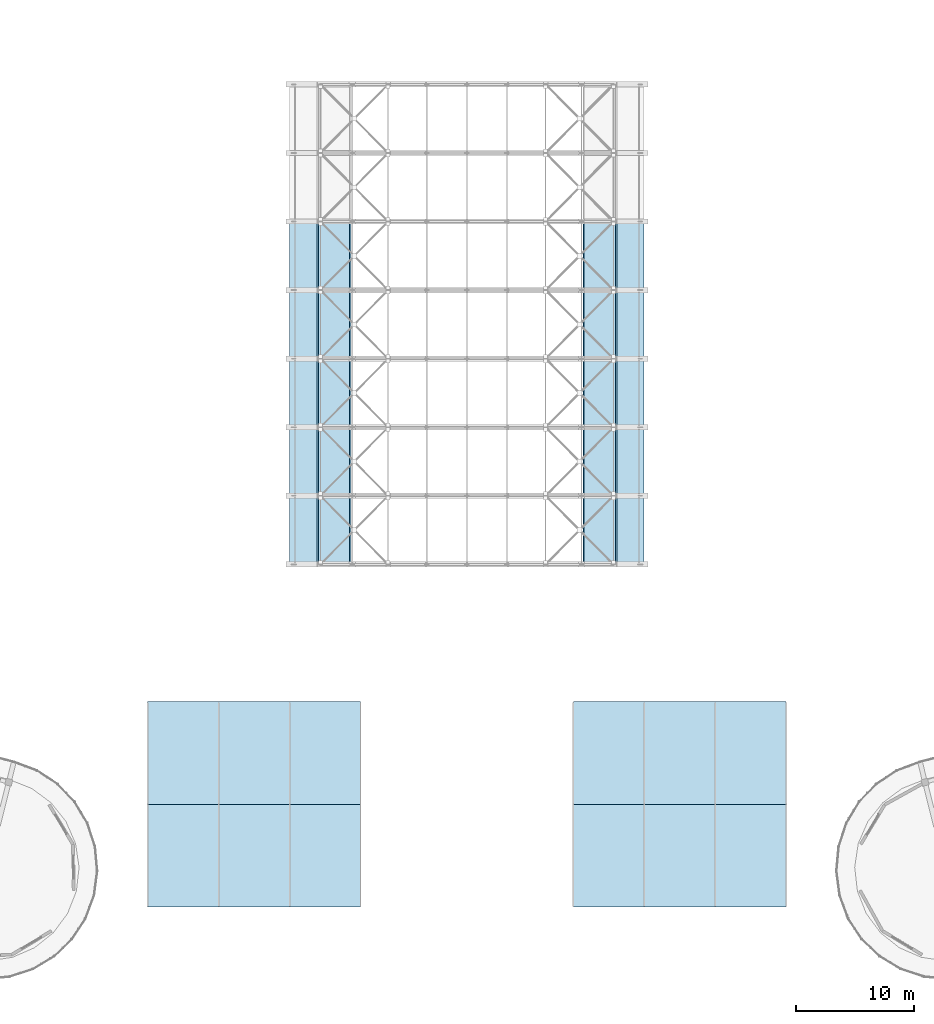
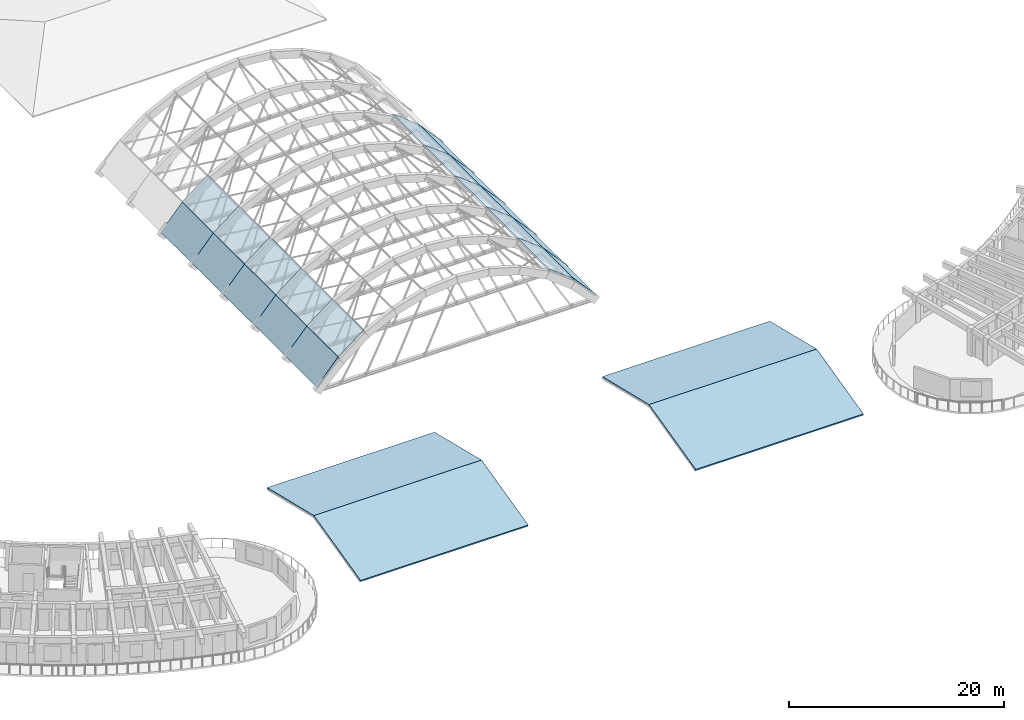
# One storey, part 25 of 81: 24 slabs.
"""IFC4 building model written with IfcOpenShell, lengths in metres."""

from ifc_helpers import new_model, si_unit, direction, frame, origin, place, context, subcontext, project, spatial, polyline, outline, extrude, material, layer, layer_set, type_object, element, save


model = new_model("IFC4")

# Units and contexts
model_context = context("Model", 3, precision=1e-05, world=origin(), true_north=direction((0.0, 1.0)))
body_context = subcontext(model_context, "Body", "Model", "MODEL_VIEW")
ifc_project = project(units=[si_unit("LENGTHUNIT", "METRE"), si_unit("AREAUNIT", "SQUARE_METRE"), si_unit("VOLUMEUNIT", "CUBIC_METRE"), si_unit("PLANEANGLEUNIT", "RADIAN"), si_unit("MASSUNIT", "GRAM", prefix="KILO")], contexts=[model_context])

# Site, building, storey
site_placement = place(None, origin())
site = spatial("IfcSite", under=ifc_project, at=site_placement, CompositionType="ELEMENT")
building_placement = place(site_placement, origin())
building = spatial("IfcBuilding", under=site, at=building_placement, Name="Tanwirah Colonnade Gardens", CompositionType="ELEMENT")
storey_placement = place(building_placement, frame((0.0, 0.0, 8.840087890625)))
storey = spatial("IfcBuildingStorey", under=building, at=storey_placement, Name="L02", CompositionType="ELEMENT", Elevation=8.840087890625)

# Slabs
ifc_material_1 = material(Name="Precast concrete C40/50", Category="concrete")
ifc_layer_1 = layer(ifc_material_1, 0.18505859375)
ifc_layer_set_1 = layer_set([ifc_layer_1], Name="Precast concrete C40/50")
slab_type_1 = type_object("IfcSlabType", Name="RF-SHP-185", PredefinedType="ROOF", material=ifc_layer_set_1)
for number, where, z_axis, x_axis, name in (
    (1, (66.0, 10.800048828125, 0.0), (0.0, -0.23462631124, 0.972085641327), (1.0, 0.0, 0.0), "Boulevard Shops W Pitched Roof SOUTH"),
    (2, (66.0, 19.5, 2.099853515625), (0.0, 0.23462631124, 0.972085641327), (1.0, 0.0, 0.0), "Boulevard Shops W Pitched Roof NORTH"),
    (3, (102.0, 10.800048828125, 0.0), (0.0, -0.23462631124, 0.972085641327), (1.0, 0.0, 0.0), "Boulevard Shops E Pitched Roof SOUTH"),
    (4, (102.0, 19.5, 2.099853515625), (0.0, 0.23462631124, 0.972085641327), (1.0, 0.0, 0.0), "Boulevard Shops E Pitched Roof NORTH"),
):
    element("IfcSlab", number, at=place(storey_placement, frame(where, z_axis=z_axis, x_axis=x_axis)), inside=storey, type_object=slab_type_1, Name=name, PredefinedType="ROOF", context=body_context, shape_type="SweptSolid", body=[
        extrude(outline(polyline([(0.0, 0.0), (18.0, 0.0), (18.0, 8.949778498940175), (0.0, 8.949778498940175), (0.0, 0.0)])), origin(), (0.0, 0.0, -1.0), 0.18505859375),
    ])
ifc_material_2 = material(Name="Precast concrete C45/55", Category="concrete")
ifc_layer_2 = layer(ifc_material_2, 0.179931640625)
ifc_layer_set_2 = layer_set([ifc_layer_2], Name="Precast concrete C45/55")
slab_type_2 = type_object("IfcSlabType", Name="RF-VAULT-180", PredefinedType="ROOF", material=ifc_layer_set_2)
slab_1_placement = place(storey_placement, frame((78.0, 39.800048828125, 0.179931640625), z_axis=(-0.747401587134, 0.0, 0.664372536721), x_axis=(0.664372536721, 0.0, 0.747401587134)))
element("IfcSlab", 5, at=slab_1_placement, inside=storey, type_object=slab_type_2, Name="Community Hall Barrel Vault Roof Strip 1.1", PredefinedType="ROOF", context=body_context, shape_type="SweptSolid", body=[
    extrude(outline(polyline([(0.0, 0.0), (3.4844026179566248, 0.0), (3.4844026179566248, 5.800048828125), (0.0, 5.800048828125), (0.0, 0.0)])), origin(), (0.0, 0.0, -1.0), 0.179931640625),
])
for number, where, z_axis, x_axis, name in (
    (6, (80.31494140625, 39.800048828125, 2.7841796875), (-0.610374176257, 0.0, 0.79211322736), (0.79211322736, 0.0, 0.610374176257), "Community Hall Barrel Vault Roof Strip 1.2"),
    (7, (102.9248046875, 39.800048828125, 4.9111328125), (0.610374176257, 0.0, 0.79211322736), (0.79211322736, 0.0, -0.610374176257), "Community Hall Barrel Vault Roof Strip 1.9"),
):
    element("IfcSlab", number, at=place(storey_placement, frame(where, z_axis=z_axis, x_axis=x_axis)), inside=storey, type_object=slab_type_2, Name=name, PredefinedType="ROOF", context=body_context, shape_type="SweptSolid", body=[
        extrude(outline(polyline([(0.0, 0.0), (3.4846708916217106, 0.0), (3.4846708916217106, 5.800048828125), (0.0, 5.800048828125), (0.0, 0.0)])), origin(), (0.0, 0.0, -1.0), 0.179931640625),
    ])
slab_2_placement = place(storey_placement, frame((105.68505859375, 39.800048828125, 2.7841796875), z_axis=(0.747401587134, 0.0, 0.664372536721), x_axis=(0.664372536721, 0.0, -0.747401587134)))
element("IfcSlab", 8, at=slab_2_placement, inside=storey, type_object=slab_type_2, Name="Community Hall Barrel Vault Roof Strip 1.10", PredefinedType="ROOF", context=body_context, shape_type="SweptSolid", body=[
    extrude(outline(polyline([(0.0, 0.0), (3.4844026179566248, 0.0), (3.4844026179566248, 5.800048828125), (0.0, 5.800048828125), (0.0, 0.0)])), origin(), (0.0, 0.0, -1.0), 0.179931640625),
])
slab_3_placement = place(storey_placement, frame((78.0, 45.60009765625, 0.179931640625), z_axis=(-0.747401587134, 0.0, 0.664372536721), x_axis=(0.664372536721, 0.0, 0.747401587134)))
element("IfcSlab", 9, at=slab_3_placement, inside=storey, type_object=slab_type_2, Name="Community Hall Barrel Vault Roof Strip 2.1", PredefinedType="ROOF", context=body_context, shape_type="SweptSolid", body=[
    extrude(outline(polyline([(0.0, 0.0), (3.4844026179566248, 0.0), (3.4844026179566248, 5.799804687499999), (0.0, 5.799804687499999), (0.0, 0.0)])), origin(), (0.0, 0.0, -1.0), 0.179931640625),
])
for number, where, z_axis, x_axis, name in (
    (10, (80.31494140625, 45.60009765625, 2.7841796875), (-0.610374176257, 0.0, 0.79211322736), (0.79211322736, 0.0, 0.610374176257), "Community Hall Barrel Vault Roof Strip 2.2"),
    (11, (102.9248046875, 45.60009765625, 4.9111328125), (0.610374176257, 0.0, 0.79211322736), (0.79211322736, 0.0, -0.610374176257), "Community Hall Barrel Vault Roof Strip 2.9"),
):
    element("IfcSlab", number, at=place(storey_placement, frame(where, z_axis=z_axis, x_axis=x_axis)), inside=storey, type_object=slab_type_2, Name=name, PredefinedType="ROOF", context=body_context, shape_type="SweptSolid", body=[
        extrude(outline(polyline([(0.0, 0.0), (3.4846708916217106, 0.0), (3.4846708916217106, 5.7998046875), (0.0, 5.7998046875), (0.0, 0.0)])), origin(), (0.0, 0.0, -1.0), 0.179931640625),
    ])
slab_4_placement = place(storey_placement, frame((105.68505859375, 45.60009765625, 2.7841796875), z_axis=(0.747401587134, 0.0, 0.664372536721), x_axis=(0.664372536721, 0.0, -0.747401587134)))
element("IfcSlab", 12, at=slab_4_placement, inside=storey, type_object=slab_type_2, Name="Community Hall Barrel Vault Roof Strip 2.10", PredefinedType="ROOF", context=body_context, shape_type="SweptSolid", body=[
    extrude(outline(polyline([(0.0, 0.0), (3.4844026179566248, 0.0), (3.4844026179566248, 5.799804687499999), (0.0, 5.799804687499999), (0.0, 0.0)])), origin(), (0.0, 0.0, -1.0), 0.179931640625),
])
slab_5_placement = place(storey_placement, frame((78.0, 51.39990234375, 0.179931640625), z_axis=(-0.747401587134, 0.0, 0.664372536721), x_axis=(0.664372536721, 0.0, 0.747401587134)))
element("IfcSlab", 13, at=slab_5_placement, inside=storey, type_object=slab_type_2, Name="Community Hall Barrel Vault Roof Strip 3.1", PredefinedType="ROOF", context=body_context, shape_type="SweptSolid", body=[
    extrude(outline(polyline([(0.0, 0.0), (3.4844026179566248, 0.0), (3.4844026179566248, 5.800048828125), (0.0, 5.800048828125), (0.0, 0.0)])), origin(), (0.0, 0.0, -1.0), 0.179931640625),
])
for number, where, z_axis, x_axis, name in (
    (14, (80.31494140625, 51.39990234375, 2.7841796875), (-0.610374176257, 0.0, 0.79211322736), (0.79211322736, 0.0, 0.610374176257), "Community Hall Barrel Vault Roof Strip 3.2"),
    (15, (102.9248046875, 51.39990234375, 4.9111328125), (0.610374176257, 0.0, 0.79211322736), (0.79211322736, 0.0, -0.610374176257), "Community Hall Barrel Vault Roof Strip 3.9"),
):
    element("IfcSlab", number, at=place(storey_placement, frame(where, z_axis=z_axis, x_axis=x_axis)), inside=storey, type_object=slab_type_2, Name=name, PredefinedType="ROOF", context=body_context, shape_type="SweptSolid", body=[
        extrude(outline(polyline([(0.0, 0.0), (3.4846708916217106, 0.0), (3.4846708916217106, 5.800048828125), (0.0, 5.800048828125), (0.0, 0.0)])), origin(), (0.0, 0.0, -1.0), 0.179931640625),
    ])
for number, where, z_axis, x_axis, name in (
    (16, (105.68505859375, 51.39990234375, 2.7841796875), (0.747401587134, 0.0, 0.664372536721), (0.664372536721, 0.0, -0.747401587134), "Community Hall Barrel Vault Roof Strip 3.10"),
    (17, (78.0, 57.199951171875, 0.179931640625), (-0.747401587134, 0.0, 0.664372536721), (0.664372536721, 0.0, 0.747401587134), "Community Hall Barrel Vault Roof Strip 4.1"),
):
    element("IfcSlab", number, at=place(storey_placement, frame(where, z_axis=z_axis, x_axis=x_axis)), inside=storey, type_object=slab_type_2, Name=name, PredefinedType="ROOF", context=body_context, shape_type="SweptSolid", body=[
        extrude(outline(polyline([(0.0, 0.0), (3.4844026179566248, 0.0), (3.4844026179566248, 5.800048828125), (0.0, 5.800048828125), (0.0, 0.0)])), origin(), (0.0, 0.0, -1.0), 0.179931640625),
    ])
for number, where, z_axis, x_axis, name in (
    (18, (80.31494140625, 57.199951171875, 2.7841796875), (-0.610374176257, 0.0, 0.79211322736), (0.79211322736, 0.0, 0.610374176257), "Community Hall Barrel Vault Roof Strip 4.2"),
    (19, (102.9248046875, 57.199951171875, 4.9111328125), (0.610374176257, 0.0, 0.79211322736), (0.79211322736, 0.0, -0.610374176257), "Community Hall Barrel Vault Roof Strip 4.9"),
):
    element("IfcSlab", number, at=place(storey_placement, frame(where, z_axis=z_axis, x_axis=x_axis)), inside=storey, type_object=slab_type_2, Name=name, PredefinedType="ROOF", context=body_context, shape_type="SweptSolid", body=[
        extrude(outline(polyline([(0.0, 0.0), (3.4846708916217106, 0.0), (3.4846708916217106, 5.800048828125), (0.0, 5.800048828125), (0.0, 0.0)])), origin(), (0.0, 0.0, -1.0), 0.179931640625),
    ])
for number, where, z_axis, x_axis, name in (
    (20, (105.68505859375, 57.199951171875, 2.7841796875), (0.747401587134, 0.0, 0.664372536721), (0.664372536721, 0.0, -0.747401587134), "Community Hall Barrel Vault Roof Strip 4.10"),
    (21, (78.0, 63.0, 0.179931640625), (-0.747401587134, 0.0, 0.664372536721), (0.664372536721, 0.0, 0.747401587134), "Community Hall Barrel Vault Roof Strip 5.1"),
):
    element("IfcSlab", number, at=place(storey_placement, frame(where, z_axis=z_axis, x_axis=x_axis)), inside=storey, type_object=slab_type_2, Name=name, PredefinedType="ROOF", context=body_context, shape_type="SweptSolid", body=[
        extrude(outline(polyline([(0.0, 0.0), (3.4844026179566248, 0.0), (3.4844026179566248, 5.800048828125), (0.0, 5.800048828125), (0.0, 0.0)])), origin(), (0.0, 0.0, -1.0), 0.179931640625),
    ])
for number, where, z_axis, x_axis, name in (
    (22, (80.31494140625, 63.0, 2.7841796875), (-0.610374176257, 0.0, 0.79211322736), (0.79211322736, 0.0, 0.610374176257), "Community Hall Barrel Vault Roof Strip 5.2"),
    (23, (102.9248046875, 63.0, 4.9111328125), (0.610374176257, 0.0, 0.79211322736), (0.79211322736, 0.0, -0.610374176257), "Community Hall Barrel Vault Roof Strip 5.9"),
):
    element("IfcSlab", number, at=place(storey_placement, frame(where, z_axis=z_axis, x_axis=x_axis)), inside=storey, type_object=slab_type_2, Name=name, PredefinedType="ROOF", context=body_context, shape_type="SweptSolid", body=[
        extrude(outline(polyline([(0.0, 0.0), (3.4846708916217106, 0.0), (3.4846708916217106, 5.800048828125), (0.0, 5.800048828125), (0.0, 0.0)])), origin(), (0.0, 0.0, -1.0), 0.179931640625),
    ])
slab_6_placement = place(storey_placement, frame((105.68505859375, 63.0, 2.7841796875), z_axis=(0.747401587134, 0.0, 0.664372536721), x_axis=(0.664372536721, 0.0, -0.747401587134)))
element("IfcSlab", 24, at=slab_6_placement, inside=storey, type_object=slab_type_2, Name="Community Hall Barrel Vault Roof Strip 5.10", PredefinedType="ROOF", context=body_context, shape_type="SweptSolid", body=[
    extrude(outline(polyline([(0.0, 0.0), (3.4844026179566248, 0.0), (3.4844026179566248, 5.800048828125), (0.0, 5.800048828125), (0.0, 0.0)])), origin(), (0.0, 0.0, -1.0), 0.179931640625),
])

save(model, "model.ifc")
